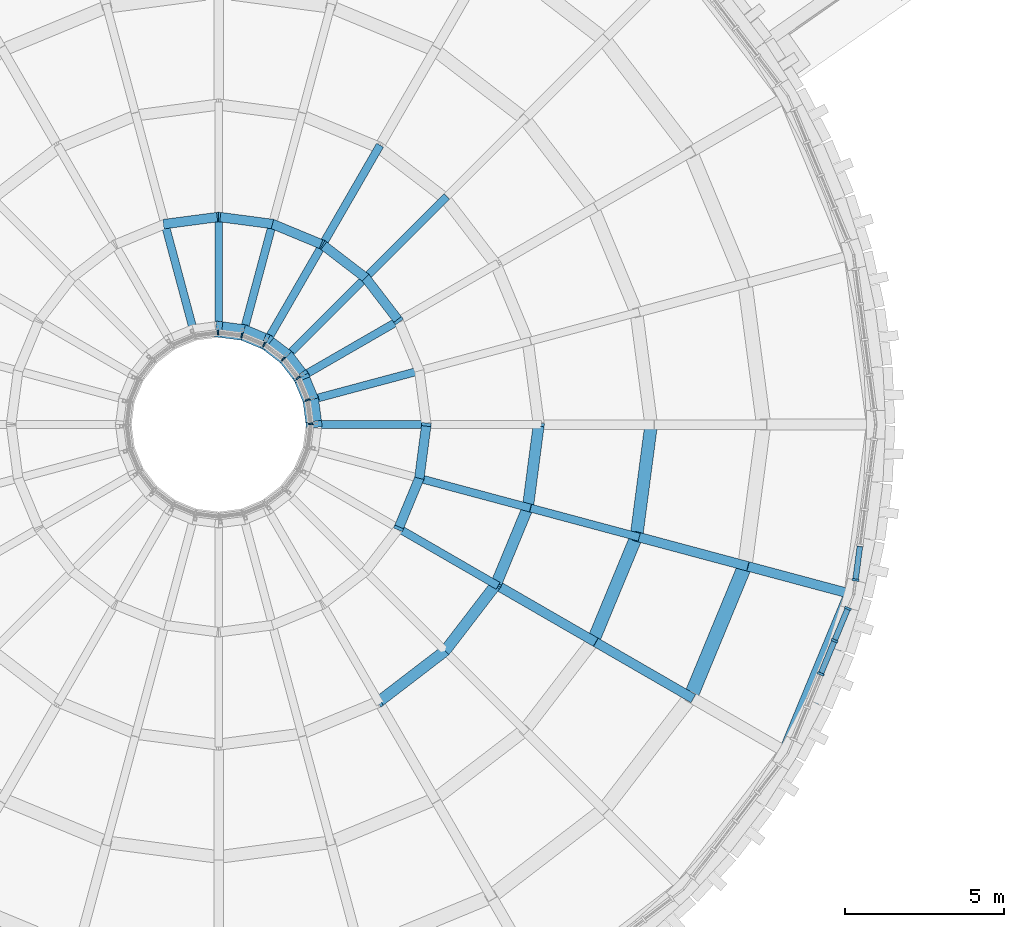
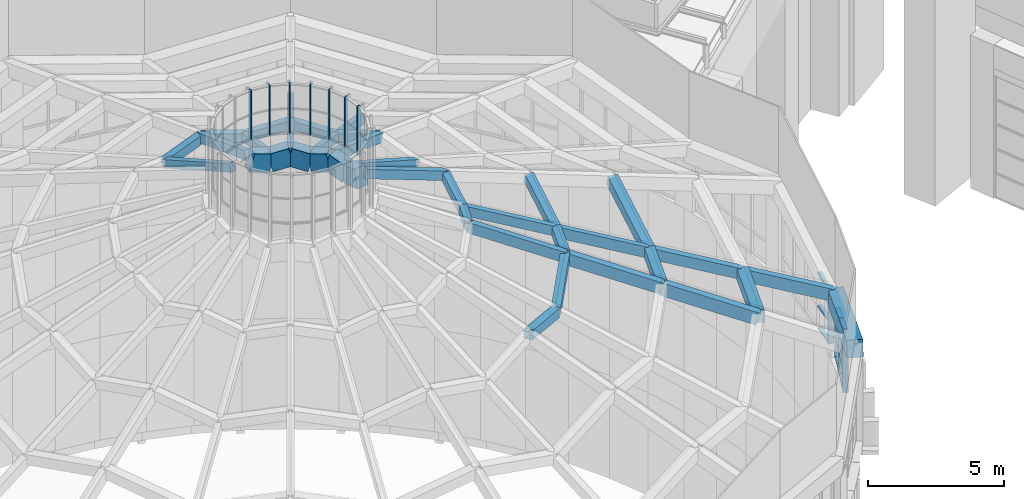
# One storey, part 13 of 82: 38 beams, 20 members, 9 elements without a shape of their own.
"""IFC4 building model written with IfcOpenShell, lengths in metres."""

from ifc_helpers import new_model, si_unit, direction, frame, origin, origin_2d, place, context, subcontext, project, spatial, rectangle, extrude, material, layer, layer_set, material_profile, profile_set, type_object, element, aggregate, save


model = new_model("IFC4")

# Units and contexts
model_context = context("Model", 3, precision=1e-05, world=origin(), true_north=direction((0.0, 1.0)))
body_context = subcontext(model_context, "Body", "Model", "MODEL_VIEW")
ifc_project = project(units=[si_unit("LENGTHUNIT", "METRE"), si_unit("AREAUNIT", "SQUARE_METRE"), si_unit("VOLUMEUNIT", "CUBIC_METRE"), si_unit("PLANEANGLEUNIT", "RADIAN"), si_unit("MASSUNIT", "GRAM", prefix="KILO")], contexts=[model_context])

# Site, building, storey
site_placement = place(None, origin())
site = spatial("IfcSite", under=ifc_project, at=site_placement, CompositionType="ELEMENT")
building_placement = place(site_placement, origin())
building = spatial("IfcBuilding", under=site, at=building_placement, Name="Volute Hill Aquarium", CompositionType="ELEMENT")
storey_placement = place(building_placement, frame((0.0, 0.0, 13.800048828125)))
storey = spatial("IfcBuildingStorey", under=building, at=storey_placement, Name="L04", CompositionType="ELEMENT", Elevation=13.800048828125)

# Curtain wall, members
ifc_material_1 = material(Name="Aluminium", Category="aluminium")
ifc_layer_1 = layer(ifc_material_1, 0.219970703125)
ifc_layer_set_1 = layer_set([ifc_layer_1], Name="Curtain wall DR clerestory module 1134")
curtain_wall_type_1 = type_object("IfcCurtainWallType", Name="Curtain wall DR clerestory module 1134", PredefinedType="NOTDEFINED", material=ifc_layer_set_1)
curtain_wall_1_placement = place(storey_placement, origin())
curtain_wall_1 = element("IfcCurtainWall", 1, at=curtain_wall_1_placement, inside=storey, type_object=curtain_wall_type_1, Name="Curtain wall CW DR clerestory c22", PredefinedType="NOTDEFINED")
ifc_material_2 = material(Name="Aluminium", Category="aluminium")
ifc_material_profile_1 = material_profile(ifc_material_2, rectangle(XDim=0.219970703125, YDim=0.070068359375, at=origin_2d()), Name="Curtain wall mullion clerestory 70x220")
ifc_profile_set_1 = profile_set([ifc_material_profile_1], Name="Aluminium")
member_type_1 = type_object("IfcMemberType", Name="Curtain wall mullion clerestory 70x220", PredefinedType="MULLION", material=ifc_profile_set_1)
member_1_placement = place(storey_placement, frame((18.960693359375, -7.853759765625, 13.699951171875), z_axis=(0.0, 0.0, 1.0), x_axis=(-0.923874284426, 0.382696102118, 0.0)))
member_1 = element("IfcMember", 2, at=member_1_placement, type_object=member_type_1, Name="Mullion DR clerestory 3", PredefinedType="MULLION", context=body_context, shape_type="SweptSolid", body=[
    extrude(rectangle(XDim=0.219970703125, YDim=0.070068359375, at=origin_2d()), origin(), (0.0, 0.0, 1.0), 2.827392578125),
])
member_2_placement = place(storey_placement, frame((19.394775390625, -6.80615234375, 13.699951171875), z_axis=(0.0, 0.0, 1.0), x_axis=(-0.923874284426, 0.382696102118, 0.0)))
member_2 = element("IfcMember", 3, at=member_2_placement, type_object=member_type_1, Name="Mullion DR clerestory 4", PredefinedType="MULLION", context=body_context, shape_type="SweptSolid", body=[
    extrude(rectangle(XDim=0.219970703125, YDim=0.070068359375, at=origin_2d()), origin(), (0.0, 0.0, 1.0), 2.533447265625),
])
member_3_placement = place(storey_placement, frame((19.815185546875, -5.790771484375, 13.699951171875), z_axis=(0.0, 0.0, 1.0), x_axis=(-0.923874284426, 0.382696102118, 0.0)))
member_3 = element("IfcMember", 4, at=member_3_placement, type_object=member_type_1, Name="Mullion DR clerestory 5", PredefinedType="MULLION", context=body_context, shape_type="SweptSolid", body=[
    extrude(rectangle(XDim=0.219970703125, YDim=0.070068359375, at=origin_2d()), origin(), (0.0, 0.0, 1.0), 2.248779296875),
])

# Curtain wall, member
curtain_wall_2_placement = place(storey_placement, origin())
curtain_wall_2 = element("IfcCurtainWall", 5, at=curtain_wall_2_placement, inside=storey, type_object=curtain_wall_type_1, Name="Curtain wall CW DR clerestory c23", PredefinedType="NOTDEFINED")
member_4_placement = place(storey_placement, frame((20.055908203125, -4.892822265625, 13.699951171875), z_axis=(0.0, 0.0, 1.0), x_axis=(-0.991445853287, 0.130518657667, 0.0)))
member_4 = element("IfcMember", 6, at=member_4_placement, type_object=member_type_1, Name="Mullion DR clerestory 1", PredefinedType="MULLION", context=body_context, shape_type="SweptSolid", body=[
    extrude(rectangle(XDim=0.219970703125, YDim=0.070068359375, at=origin_2d()), origin(), (0.0, 0.0, 1.0), 2.248779296875),
])

ifc_material_3 = material(Name="Aluminium", Category="aluminium")
ifc_layer_2 = layer(ifc_material_3, 0.139892578125)
ifc_layer_set_2 = layer_set([ifc_layer_2], Name="Curtain wall DR lantern module 757")
curtain_wall_type_2 = type_object("IfcCurtainWallType", Name="Curtain wall DR lantern module 757", PredefinedType="NOTDEFINED", material=ifc_layer_set_2)
curtain_wall_3_placement = place(storey_placement, origin())
curtain_wall_3 = element("IfcCurtainWall", 7, at=curtain_wall_3_placement, inside=storey, type_object=curtain_wall_type_2, Name="Curtain wall CW DR lantern l00", PredefinedType="NOTDEFINED")
ifc_material_4 = material(Name="Aluminium", Category="aluminium")
ifc_material_profile_2 = material_profile(ifc_material_4, rectangle(XDim=0.139892578125, YDim=0.050048828125, at=origin_2d()), Name="Curtain wall mullion lantern 50x140")
ifc_profile_set_2 = profile_set([ifc_material_profile_2], Name="Aluminium")
member_type_2 = type_object("IfcMemberType", Name="Curtain wall mullion lantern 50x140", PredefinedType="MULLION", material=ifc_profile_set_2)
member_5_placement = place(storey_placement, frame((2.896728515625, 0.02490234375, 25.16650390625), z_axis=(0.0, 0.0, 1.0), x_axis=(-0.991448000232, -0.130502348011, 0.0)))
member_5 = element("IfcMember", 8, at=member_5_placement, type_object=member_type_2, Name="Mullion DR lantern 1", PredefinedType="MULLION", context=body_context, shape_type="SweptSolid", body=[
    extrude(rectangle(XDim=0.139892578125, YDim=0.050048828125, at=origin_2d()), origin(), (0.0, 0.0, 1.0), 2.199951171875),
])
aggregate(curtain_wall_3, [member_5])

curtain_wall_4_placement = place(storey_placement, origin())
curtain_wall_4 = element("IfcCurtainWall", 9, at=curtain_wall_4_placement, inside=storey, type_object=curtain_wall_type_2, Name="Curtain wall CW DR lantern l01", PredefinedType="NOTDEFINED")
member_6_placement = place(storey_placement, frame((2.791748046875, 0.773681640625, 25.16650390625), z_axis=(0.0, 0.0, 1.0), x_axis=(-0.923879983442, -0.382682343719, 0.0)))
member_6 = element("IfcMember", 10, at=member_6_placement, type_object=member_type_2, Name="Mullion DR lantern 1", PredefinedType="MULLION", context=body_context, shape_type="SweptSolid", body=[
    extrude(rectangle(XDim=0.139892578125, YDim=0.050048828125, at=origin_2d()), origin(), (0.0, 0.0, 1.0), 2.199951171875),
])
aggregate(curtain_wall_4, [member_6])

curtain_wall_5_placement = place(storey_placement, origin())
curtain_wall_5 = element("IfcCurtainWall", 11, at=curtain_wall_5_placement, inside=storey, type_object=curtain_wall_type_2, Name="Curtain wall CW DR lantern l02", PredefinedType="NOTDEFINED")
member_7_placement = place(storey_placement, frame((2.496337890625, 1.4697265625, 25.16650390625), z_axis=(0.0, 0.0, 1.0), x_axis=(-0.79332564584, -0.608797519421, 0.0)))
member_7 = element("IfcMember", 12, at=member_7_placement, type_object=member_type_2, Name="Mullion DR lantern 1", PredefinedType="MULLION", context=body_context, shape_type="SweptSolid", body=[
    extrude(rectangle(XDim=0.139892578125, YDim=0.050048828125, at=origin_2d()), origin(), (0.0, 0.0, 1.0), 2.199951171875),
])
aggregate(curtain_wall_5, [member_7])

curtain_wall_6_placement = place(storey_placement, origin())
curtain_wall_6 = element("IfcCurtainWall", 13, at=curtain_wall_6_placement, inside=storey, type_object=curtain_wall_type_2, Name="Curtain wall CW DR lantern l03", PredefinedType="NOTDEFINED")
member_8_placement = place(storey_placement, frame((2.03076171875, 2.06591796875, 25.16650390625), z_axis=(0.0, 0.0, 1.0), x_axis=(-0.608797519421, -0.79332564584, 0.0)))
member_8 = element("IfcMember", 14, at=member_8_placement, type_object=member_type_2, Name="Mullion DR lantern 1", PredefinedType="MULLION", context=body_context, shape_type="SweptSolid", body=[
    extrude(rectangle(XDim=0.139892578125, YDim=0.050048828125, at=origin_2d()), origin(), (0.0, 0.0, 1.0), 2.199951171875),
])
aggregate(curtain_wall_6, [member_8])

curtain_wall_7_placement = place(storey_placement, origin())
curtain_wall_7 = element("IfcCurtainWall", 15, at=curtain_wall_7_placement, inside=storey, type_object=curtain_wall_type_2, Name="Curtain wall CW DR lantern l04", PredefinedType="NOTDEFINED")
member_9_placement = place(storey_placement, frame((1.427001953125, 2.52099609375, 25.16650390625), z_axis=(0.0, 0.0, 1.0), x_axis=(-0.382682343719, -0.923879983442, 0.0)))
member_9 = element("IfcMember", 16, at=member_9_placement, type_object=member_type_2, Name="Mullion DR lantern 1", PredefinedType="MULLION", context=body_context, shape_type="SweptSolid", body=[
    extrude(rectangle(XDim=0.139892578125, YDim=0.050048828125, at=origin_2d()), origin(), (0.0, 0.0, 1.0), 2.199951171875),
])
aggregate(curtain_wall_7, [member_9])

curtain_wall_8_placement = place(storey_placement, origin())
curtain_wall_8 = element("IfcCurtainWall", 17, at=curtain_wall_8_placement, inside=storey, type_object=curtain_wall_type_2, Name="Curtain wall CW DR lantern l05", PredefinedType="NOTDEFINED")
member_10_placement = place(storey_placement, frame((0.725830078125, 2.804443359375, 25.16650390625), z_axis=(0.0, 0.0, 1.0), x_axis=(-0.130502348011, -0.991448000232, 0.0)))
member_10 = element("IfcMember", 18, at=member_10_placement, type_object=member_type_2, Name="Mullion DR lantern 1", PredefinedType="MULLION", context=body_context, shape_type="SweptSolid", body=[
    extrude(rectangle(XDim=0.139892578125, YDim=0.050048828125, at=origin_2d()), origin(), (0.0, 0.0, 1.0), 2.199951171875),
])
aggregate(curtain_wall_8, [member_10])

curtain_wall_9_placement = place(storey_placement, origin())
curtain_wall_9 = element("IfcCurtainWall", 19, at=curtain_wall_9_placement, inside=storey, type_object=curtain_wall_type_2, Name="Curtain wall CW DR lantern l06", PredefinedType="NOTDEFINED")
member_11_placement = place(storey_placement, frame((-0.02490234375, 2.896728515625, 25.16650390625), z_axis=(0.0, 0.0, 1.0), x_axis=(0.130502348011, -0.991448000232, 0.0)))
member_11 = element("IfcMember", 20, at=member_11_placement, type_object=member_type_2, Name="Mullion DR lantern 1", PredefinedType="MULLION", context=body_context, shape_type="SweptSolid", body=[
    extrude(rectangle(XDim=0.139892578125, YDim=0.050048828125, at=origin_2d()), origin(), (0.0, 0.0, 1.0), 2.199951171875),
])
aggregate(curtain_wall_9, [member_11])

# Member
ifc_material_5 = material(Name="Aluminium", Category="aluminium")
ifc_material_profile_3 = material_profile(ifc_material_5, rectangle(XDim=0.179931640625, YDim=0.070068359375, at=origin_2d()), Name="Curtain wall transom clerestory 70x180")
ifc_profile_set_3 = profile_set([ifc_material_profile_3], Name="Aluminium")
member_type_3 = type_object("IfcMemberType", Name="Curtain wall transom clerestory 70x180", PredefinedType="USERDEFINED", material=ifc_profile_set_3)
member_12_placement = place(storey_placement, frame((18.97412109375, -7.821533203125, 13.73486328125), z_axis=(0.382675987972, 0.923882616045, 0.0), x_axis=(-0.923882616045, 0.382675987972, 0.0)))
member_12 = element("IfcMember", 21, at=member_12_placement, type_object=member_type_3, Name="Transom DR clerestory 3.1", ObjectType="TRANSOM", PredefinedType="USERDEFINED", context=body_context, shape_type="SweptSolid", body=[
    extrude(rectangle(XDim=0.179931640625, YDim=0.070068359375, at=origin_2d()), origin(), (0.0, 0.0, 1.0), 1.064208984375),
])

member_13_placement = place(storey_placement, frame((18.97412109375, -7.821533203125, 14.699951171875), z_axis=(0.382675987972, 0.923882616045, 0.0), x_axis=(-0.923882616045, 0.382675987972, 0.0)))
member_13 = element("IfcMember", 22, at=member_13_placement, type_object=member_type_3, Name="Transom DR clerestory 3.2", ObjectType="TRANSOM", PredefinedType="USERDEFINED", context=body_context, shape_type="SweptSolid", body=[
    extrude(rectangle(XDim=0.179931640625, YDim=0.070068359375, at=origin_2d()), origin(), (0.0, 0.0, 1.0), 1.064208984375),
])

member_14_placement = place(storey_placement, frame((18.97412109375, -7.821533203125, 16.483154296875), z_axis=(0.37045091668, 0.894368010473, -0.250742856674), x_axis=(-0.923882616045, 0.382675987972, 0.0)))
member_14 = element("IfcMember", 23, at=member_14_placement, type_object=member_type_3, Name="Head member DR clerestory 3", ObjectType="TRANSOM", PredefinedType="USERDEFINED", context=body_context, shape_type="SweptSolid", body=[
    extrude(rectangle(XDim=0.179931640625, YDim=0.070068359375, at=origin_2d()), origin(), (0.0, 0.0, 1.0), 1.099365234375),
])

member_15_placement = place(storey_placement, frame((19.407958984375, -6.773681640625, 13.73486328125), z_axis=(0.382777942923, 0.923840379293, 0.0), x_axis=(-0.923840379293, 0.382777942923, 0.0)))
member_15 = element("IfcMember", 24, at=member_15_placement, type_object=member_type_3, Name="Transom DR clerestory 4.1", ObjectType="TRANSOM", PredefinedType="USERDEFINED", context=body_context, shape_type="SweptSolid", body=[
    extrude(rectangle(XDim=0.179931640625, YDim=0.070068359375, at=origin_2d()), origin(), (0.0, 0.0, 1.0), 1.02880859375),
])

member_16_placement = place(storey_placement, frame((19.407958984375, -6.773681640625, 14.699951171875), z_axis=(0.382777942923, 0.923840379293, 0.0), x_axis=(-0.923840379293, 0.382777942923, 0.0)))
member_16 = element("IfcMember", 25, at=member_16_placement, type_object=member_type_3, Name="Transom DR clerestory 4.2", ObjectType="TRANSOM", PredefinedType="USERDEFINED", context=body_context, shape_type="SweptSolid", body=[
    extrude(rectangle(XDim=0.179931640625, YDim=0.070068359375, at=origin_2d()), origin(), (0.0, 0.0, 1.0), 1.02880859375),
])

member_17_placement = place(storey_placement, frame((19.407958984375, -6.773681640625, 16.189453125), z_axis=(0.370538555568, 0.894300432006, -0.250854372399), x_axis=(-0.923840379293, 0.382777942923, 0.0)))
member_17 = element("IfcMember", 26, at=member_17_placement, type_object=member_type_3, Name="Head member DR clerestory 4", ObjectType="TRANSOM", PredefinedType="USERDEFINED", context=body_context, shape_type="SweptSolid", body=[
    extrude(rectangle(XDim=0.179931640625, YDim=0.070068359375, at=origin_2d()), origin(), (0.0, 0.0, 1.0), 1.062744140625),
])

aggregate(curtain_wall_1, [member_1, member_2, member_3, member_12, member_13, member_14, member_15, member_16, member_17])

member_18_placement = place(storey_placement, frame((20.060546875, -4.85791015625, 13.73486328125), z_axis=(0.130515897359, 0.991446216664, 0.0), x_axis=(-0.991446216664, 0.130515897359, 0.0)))
member_18 = element("IfcMember", 27, at=member_18_placement, type_object=member_type_3, Name="Transom DR clerestory 1.1", ObjectType="TRANSOM", PredefinedType="USERDEFINED", context=body_context, shape_type="SweptSolid", body=[
    extrude(rectangle(XDim=0.179931640625, YDim=0.070068359375, at=origin_2d()), origin(), (0.0, 0.0, 1.0), 1.02880859375),
])

member_19_placement = place(storey_placement, frame((20.060546875, -4.85791015625, 14.699951171875), z_axis=(0.130515897359, 0.991446216664, 0.0), x_axis=(-0.991446216664, 0.130515897359, 0.0)))
member_19 = element("IfcMember", 28, at=member_19_placement, type_object=member_type_3, Name="Transom DR clerestory 1.2", ObjectType="TRANSOM", PredefinedType="USERDEFINED", context=body_context, shape_type="SweptSolid", body=[
    extrude(rectangle(XDim=0.179931640625, YDim=0.070068359375, at=origin_2d()), origin(), (0.0, 0.0, 1.0), 1.02880859375),
])

member_20_placement = place(storey_placement, frame((20.060546875, -4.85791015625, 15.9228515625), z_axis=(0.126342846429, 0.959746204329, 0.250847978728), x_axis=(-0.991446216664, 0.130515897359, 0.0)))
member_20 = element("IfcMember", 29, at=member_20_placement, type_object=member_type_3, Name="Head member DR clerestory 1", ObjectType="TRANSOM", PredefinedType="USERDEFINED", context=body_context, shape_type="SweptSolid", body=[
    extrude(rectangle(XDim=0.179931640625, YDim=0.070068359375, at=origin_2d()), origin(), (0.0, 0.0, 1.0), 1.062744140625),
])

aggregate(curtain_wall_2, [member_4, member_18, member_19, member_20])

# Beams
ifc_material_6 = material(Name="Concrete C40/50", Category="concrete")
ifc_material_profile_4 = material_profile(ifc_material_6, rectangle(XDim=0.5, YDim=0.800048828125, at=origin_2d()), Name="RC beam 500x800")
ifc_profile_set_4 = profile_set([ifc_material_profile_4], Name="Concrete C40/50")
beam_type_1 = type_object("IfcBeamType", Name="Dome shell crown compression ring 500x800", PredefinedType="BEAM", material=ifc_profile_set_4)
beam_1_placement = place(storey_placement, frame((3.0, 0.0, 24.1533203125), z_axis=(-0.126420151127, 0.959767304854, -0.250728271089), x_axis=(-0.991436251812, -0.130591571678, 0.0)))
element("IfcBeam", 30, at=beam_1_placement, inside=storey, type_object=beam_type_1, Name="rb/DR/L04/crown.0", PredefinedType="BEAM", context=body_context, shape_type="SweptSolid", body=[
    extrude(rectangle(XDim=0.5, YDim=0.800048828125, at=origin_2d()), origin(), (0.0, 0.0, 1.0), 0.80908203125),
])
beam_2_placement = place(storey_placement, frame((2.897705078125, 0.776611328125, 23.950439453125), z_axis=(-0.370367795762, 0.894376347876, 0.250835891017), x_axis=(-0.923914231908, -0.382599649866, 0.0)))
element("IfcBeam", 31, at=beam_2_placement, inside=storey, type_object=beam_type_1, Name="rb/DR/L04/crown.1", PredefinedType="BEAM", context=body_context, shape_type="SweptSolid", body=[
    extrude(rectangle(XDim=0.5, YDim=0.800048828125, at=origin_2d()), origin(), (0.0, 0.0, 1.0), 0.808837890625),
])
for number, where, z_axis, x_axis, name in (
    (32, (2.59814453125, 1.5, 24.1533203125), (-0.589339536371, 0.76798214033, -0.250763520084), (-0.793330333374, -0.608791411033, 0.0), "rb/DR/L04/crown.2"),
    (33, (2.121337890625, 2.121337890625, 23.950439453125), (-0.76798214033, 0.589339536371, 0.250763520084), (-0.608791411033, -0.793330333374, 0.0), "rb/DR/L04/crown.3"),
):
    element("IfcBeam", number, at=place(storey_placement, frame(where, z_axis=z_axis, x_axis=x_axis)), inside=storey, type_object=beam_type_1, Name=name, PredefinedType="BEAM", context=body_context, shape_type="SweptSolid", body=[
        extrude(rectangle(XDim=0.5, YDim=0.800048828125, at=origin_2d()), origin(), (0.0, 0.0, 1.0), 0.80908203125),
    ])
beam_3_placement = place(storey_placement, frame((1.5, 2.59814453125, 24.1533203125), z_axis=(-0.894376347876, 0.370367795762, -0.250835891017), x_axis=(-0.382599649866, -0.923914231908, 0.0)))
element("IfcBeam", 34, at=beam_3_placement, inside=storey, type_object=beam_type_1, Name="rb/DR/L04/crown.4", PredefinedType="BEAM", context=body_context, shape_type="SweptSolid", body=[
    extrude(rectangle(XDim=0.5, YDim=0.800048828125, at=origin_2d()), origin(), (0.0, 0.0, 1.0), 0.808837890625),
])
beam_4_placement = place(storey_placement, frame((0.776611328125, 2.897705078125, 23.950439453125), z_axis=(-0.959767304854, 0.126420151127, 0.250728271089), x_axis=(-0.130591571678, -0.991436251812, 0.0)))
element("IfcBeam", 35, at=beam_4_placement, inside=storey, type_object=beam_type_1, Name="rb/DR/L04/crown.5", PredefinedType="BEAM", context=body_context, shape_type="SweptSolid", body=[
    extrude(rectangle(XDim=0.5, YDim=0.800048828125, at=origin_2d()), origin(), (0.0, 0.0, 1.0), 0.80908203125),
])
ifc_material_7 = material(Name="Concrete C40/50", Category="concrete")
ifc_material_profile_5 = material_profile(ifc_material_7, rectangle(XDim=0.60009765625, YDim=0.699951171875, at=origin_2d()), Name="RC beam 600x700")
ifc_profile_set_5 = profile_set([ifc_material_profile_5], Name="Concrete C40/50")
beam_type_2 = type_object("IfcBeamType", Name="Dome shell eave ring beam 600x700", PredefinedType="BEAM", material=ifc_profile_set_5)
beam_5_placement = place(storey_placement, frame((17.9267578125, -10.35009765625, 17.51611328125), z_axis=(0.370444717355, 0.894359389043, -0.250782763791), x_axis=(-0.923883575944, 0.382673670509, 0.0)))
element("IfcBeam", 36, at=beam_5_placement, inside=storey, type_object=beam_type_2, Name="rb/DR/L04/eave.22", PredefinedType="BEAM", context=body_context, shape_type="SweptSolid", body=[
    extrude(rectangle(XDim=0.60009765625, YDim=0.699951171875, at=origin_2d()), origin(), (0.0, 0.0, 1.0), 5.58203125),
])
ifc_material_8 = material(Name="Concrete C40/50", Category="concrete")
ifc_material_profile_6 = material_profile(ifc_material_8, rectangle(XDim=0.25, YDim=0.39990234375, at=origin_2d()), Name="RC rib 250x400")
ifc_profile_set_6 = profile_set([ifc_material_profile_6], Name="Concrete C40/50")
beam_type_3 = type_object("IfcBeamType", Name="Dome shell ridge rib 250x400", PredefinedType="BEAM", material=ifc_profile_set_6)
for number, where, z_axis, x_axis, name in (
    (37, (6.5400390625, 0.0, 23.033203125), (-0.936988418272, 0.0, 0.349360421376), (0.0, -1.0, 0.0), "rb/DR/L04/ridge4.0"),
    (38, (5.663818359375, 3.27001953125, 23.033203125), (-0.81145928469, -0.468478276806, 0.349373630161), (0.499985624295, -0.866033703443, 0.0), "rb/DR/L04/ridge4.2"),
    (39, (3.27001953125, 5.663818359375, 23.033203125), (-0.468478276806, -0.81145928469, 0.349373630161), (0.866033703443, -0.499985624295, 0.0), "rb/DR/L04/ridge4.4"),
    (40, (0.0, 6.5400390625, 23.033203125), (0.0, -0.936988418272, 0.349360421376), (1.0, 0.0, 0.0), "rb/DR/L04/ridge4.6"),
):
    element("IfcBeam", number, at=place(storey_placement, frame(where, z_axis=z_axis, x_axis=x_axis)), inside=storey, type_object=beam_type_3, Name=name, PredefinedType="BEAM", context=body_context, shape_type="SweptSolid", body=[
        extrude(rectangle(XDim=0.25, YDim=0.39990234375, at=origin_2d()), origin(), (0.0, 0.0, 1.0), 3.628173828125),
    ])
ifc_material_9 = material(Name="Concrete C40/50", Category="concrete")
ifc_material_profile_7 = material_profile(ifc_material_9, rectangle(XDim=0.25, YDim=0.449951171875, at=origin_2d()), Name="RC rib 250x450")
ifc_profile_set_7 = profile_set([ifc_material_profile_7], Name="Concrete C40/50")
beam_type_4 = type_object("IfcBeamType", Name="Dome shell ridge rib 250x450", PredefinedType="BEAM", material=ifc_profile_set_7)
for number, where, z_axis, x_axis, name in (
    (41, (5.0400390625, 8.7294921875, 21.663818359375), (-0.467539824873, -0.80977897668, 0.354491919631), (0.866019052629, -0.500011000363, 0.0), "rb/DR/L04/ridge3.4"),
    (42, (8.7294921875, -5.0400390625, 21.663818359375), (-0.80977897668, 0.467539824873, 0.354491919631), (-0.500011000363, -0.866019052629, 0.0), "rb/DR/L04/ridge3.22"),
):
    element("IfcBeam", number, at=place(storey_placement, frame(where, z_axis=z_axis, x_axis=x_axis)), inside=storey, type_object=beam_type_4, Name=name, PredefinedType="BEAM", context=body_context, shape_type="SweptSolid", body=[
        extrude(rectangle(XDim=0.25, YDim=0.449951171875, at=origin_2d()), origin(), (0.0, 0.0, 1.0), 3.785888671875),
    ])
ifc_material_10 = material(Name="Concrete C40/50", Category="concrete")
ifc_material_profile_8 = material_profile(ifc_material_10, rectangle(XDim=0.300048828125, YDim=0.5, at=origin_2d()), Name="RC rib 300x500")
ifc_profile_set_8 = profile_set([ifc_material_profile_8], Name="Concrete C40/50")
beam_type_5 = type_object("IfcBeamType", Name="Dome shell ridge rib 300x500", PredefinedType="BEAM", material=ifc_profile_set_8)
beam_6_placement = place(storey_placement, frame((11.79541015625, -6.81005859375, 20.294677734375), z_axis=(-0.809782663911, 0.467504723153, 0.354529788675), x_axis=(-0.499981137809, -0.866036293601, 0.0)))
element("IfcBeam", 43, at=beam_6_placement, inside=storey, type_object=beam_type_5, Name="rb/DR/L04/ridge2.22", PredefinedType="BEAM", context=body_context, shape_type="SweptSolid", body=[
    extrude(rectangle(XDim=0.300048828125, YDim=0.5, at=origin_2d()), origin(), (0.0, 0.0, 1.0), 3.7861328125),
])
ifc_material_11 = material(Name="Concrete C40/50", Category="concrete")
ifc_material_profile_9 = material_profile(ifc_material_11, rectangle(XDim=0.300048828125, YDim=0.550048828125, at=origin_2d()), Name="RC rib 300x550")
ifc_profile_set_9 = profile_set([ifc_material_profile_9], Name="Concrete C40/50")
beam_type_6 = type_object("IfcBeamType", Name="Dome shell ridge rib 300x550", PredefinedType="BEAM", material=ifc_profile_set_9)
beam_7_placement = place(storey_placement, frame((14.861083984375, -8.580078125, 18.92578125), z_axis=(-0.809760463627, 0.467529136043, 0.354548302064), x_axis=(-0.500011000363, -0.866019052629, 0.0)))
element("IfcBeam", 44, at=beam_7_placement, inside=storey, type_object=beam_type_6, Name="rb/DR/L04/ridge1.22", PredefinedType="BEAM", context=body_context, shape_type="SweptSolid", body=[
    extrude(rectangle(XDim=0.300048828125, YDim=0.550048828125, at=origin_2d()), origin(), (0.0, 0.0, 1.0), 3.785888671875),
])
ifc_material_12 = material(Name="Concrete C40/50", Category="concrete")
ifc_material_profile_10 = material_profile(ifc_material_12, rectangle(XDim=0.300048828125, YDim=0.39990234375, at=origin_2d()), Name="RC beam 300x400")
ifc_profile_set_10 = profile_set([ifc_material_profile_10], Name="Concrete C40/50")
beam_type_7 = type_object("IfcBeamType", Name="Dome shell ring beam 300x400", PredefinedType="BEAM", material=ifc_profile_set_10)
for number, where, z_axis, x_axis, name in (
    (45, (5.663818359375, 3.27001953125, 23.0400390625), (-0.589288418736, 0.767999094937, -0.250831715938), (-0.793362327397, -0.608749716606, 0.0), "rb/DR/L04/ring4.2"),
    (46, (4.62451171875, 4.62451171875, 22.59765625), (-0.767999094937, 0.589288418736, 0.250831715938), (-0.608749716606, -0.793362327397, 0.0), "rb/DR/L04/ring4.3"),
    (47, (3.27001953125, 5.663818359375, 23.0400390625), (-0.894357009115, 0.370422435597, -0.250824160427), (-0.382654892735, -0.923891353497, 0.0), "rb/DR/L04/ring4.4"),
    (48, (1.692626953125, 6.317138671875, 22.59765625), (-0.959743116288, 0.126387633805, 0.250837231604), (-0.130561788435, -0.991440174393, 0.0), "rb/DR/L04/ring4.5"),
    (49, (0.0, 6.5400390625, 23.0400390625), (-0.959743116288, -0.126387633805, -0.250837231604), (0.130561788435, -0.991440174393, 0.0), "rb/DR/L04/ring4.6"),
    (50, (5.663818359375, -3.27001953125, 23.0400390625), (0.370422435597, 0.894357009115, -0.250824160427), (-0.923891353497, 0.382654892735, 0.0), "rb/DR/L04/ring4.22"),
    (51, (6.317138671875, -1.692626953125, 22.59765625), (0.126387633805, 0.959743116288, 0.250837231604), (-0.991440174393, 0.130561788435, 0.0), "rb/DR/L04/ring4.23"),
):
    element("IfcBeam", number, at=place(storey_placement, frame(where, z_axis=z_axis, x_axis=x_axis)), inside=storey, type_object=beam_type_7, Name=name, PredefinedType="BEAM", context=body_context, shape_type="SweptSolid", body=[
        extrude(rectangle(XDim=0.300048828125, YDim=0.39990234375, at=origin_2d()), origin(), (0.0, 0.0, 1.0), 1.763671875),
    ])
ifc_material_13 = material(Name="Concrete C40/50", Category="concrete")
ifc_material_profile_11 = material_profile(ifc_material_13, rectangle(XDim=0.35009765625, YDim=0.39990234375, at=origin_2d()), Name="RC beam 350x400")
ifc_profile_set_11 = profile_set([ifc_material_profile_11], Name="Concrete C40/50")
beam_type_8 = type_object("IfcBeamType", Name="Dome shell ring beam 350x400", PredefinedType="BEAM", material=ifc_profile_set_11)
for number, where, z_axis, x_axis, name in (
    (52, (5.0400390625, -8.7294921875, 21.69775390625), (0.768021440835, 0.589286477993, -0.250767847364), (-0.608737306285, 0.793371849725, 0.0), "rb/DR/L04/ring3.20"),
    (53, (7.127685546875, -7.127685546875, 21.01611328125), (0.589286477993, 0.768021440835, 0.250767847364), (-0.793371849725, 0.608737306285, 0.0), "rb/DR/L04/ring3.21"),
    (54, (8.7294921875, -5.0400390625, 21.69775390625), (0.370476790218, 0.894353424726, -0.250756654131), (-0.923870959733, 0.382704128228, 0.0), "rb/DR/L04/ring3.22"),
    (55, (9.736572265625, -2.60888671875, 21.01611328125), (0.126369906297, 0.959764618825, 0.250763879446), (-0.991442923275, 0.130540912694, 0.0), "rb/DR/L04/ring3.23"),
):
    element("IfcBeam", number, at=place(storey_placement, frame(where, z_axis=z_axis, x_axis=x_axis)), inside=storey, type_object=beam_type_8, Name=name, PredefinedType="BEAM", context=body_context, shape_type="SweptSolid", body=[
        extrude(rectangle(XDim=0.35009765625, YDim=0.39990234375, at=origin_2d()), origin(), (0.0, 0.0, 1.0), 2.71826171875),
    ])
ifc_material_14 = material(Name="Concrete C40/50", Category="concrete")
ifc_material_profile_12 = material_profile(ifc_material_14, rectangle(XDim=0.39990234375, YDim=0.449951171875, at=origin_2d()), Name="RC beam 400x450")
ifc_profile_set_12 = profile_set([ifc_material_profile_12], Name="Concrete C40/50")
beam_type_9 = type_object("IfcBeamType", Name="Dome shell ring beam 400x450", PredefinedType="BEAM", material=ifc_profile_set_12)
for number, where, z_axis, x_axis, name in (
    (56, (11.79541015625, -6.81005859375, 20.32958984375), (0.370439367644, 0.89435881781, -0.250792703054), (-0.923885443331, 0.382669162072, 0.0), "rb/DR/L04/ring2.22"),
    (57, (13.156005859375, -3.525146484375, 19.408447265625), (0.126359287545, 0.959758944171, 0.250790947874), (-0.991444243022, 0.13053088898, 0.0), "rb/DR/L04/ring2.23"),
):
    element("IfcBeam", number, at=place(storey_placement, frame(where, z_axis=z_axis, x_axis=x_axis)), inside=storey, type_object=beam_type_9, Name=name, PredefinedType="BEAM", context=body_context, shape_type="SweptSolid", body=[
        extrude(rectangle(XDim=0.39990234375, YDim=0.449951171875, at=origin_2d()), origin(), (0.0, 0.0, 1.0), 3.6728515625),
    ])
ifc_material_15 = material(Name="Concrete C40/50", Category="concrete")
ifc_material_profile_13 = material_profile(ifc_material_15, rectangle(XDim=0.449951171875, YDim=0.5, at=origin_2d()), Name="RC beam 450x500")
ifc_profile_set_13 = profile_set([ifc_material_profile_13], Name="Concrete C40/50")
beam_type_10 = type_object("IfcBeamType", Name="Dome shell ring beam 450x500", PredefinedType="BEAM", material=ifc_profile_set_13)
beam_8_placement = place(storey_placement, frame((14.861083984375, -8.580078125, 18.961669921875), z_axis=(0.37041738407, 0.894361984725, -0.250813878916), x_axis=(-0.923893950929, 0.382648621371, 0.0)))
element("IfcBeam", 58, at=beam_8_placement, inside=storey, type_object=beam_type_10, Name="rb/DR/L04/ring1.22", PredefinedType="BEAM", context=body_context, shape_type="SweptSolid", body=[
    extrude(rectangle(XDim=0.449951171875, YDim=0.5, at=origin_2d()), origin(), (0.0, 0.0, 1.0), 4.62744140625),
])
ifc_material_16 = material(Name="Concrete C40/50", Category="concrete")
ifc_material_profile_14 = material_profile(ifc_material_16, rectangle(XDim=0.25, YDim=0.35009765625, at=origin_2d()), Name="RC rib 250x350")
ifc_profile_set_14 = profile_set([ifc_material_profile_14], Name="Concrete C40/50")
beam_type_11 = type_object("IfcBeamType", Name="Dome shell valley rib 250x350", PredefinedType="BEAM", material=ifc_profile_set_14)
for number, where, z_axis, x_axis, name in (
    (59, (6.317138671875, 1.692626953125, 22.613037109375), (-0.883981663698, -0.236805597758, 0.403112300874), (0.258761365236, -0.965941279717, 0.0), "rb/DR/L04/valley4.1"),
    (60, (4.62451171875, 4.62451171875, 22.613037109375), (-0.647109757651, -0.647109757651, 0.403110311335), (0.707106781187, -0.707106781187, 0.0), "rb/DR/L04/valley4.3"),
    (61, (1.692626953125, 6.317138671875, 22.613037109375), (-0.236805597758, -0.883981663698, 0.403112300874), (0.965941279717, -0.258761365236, 0.0), "rb/DR/L04/valley4.5"),
    (62, (-1.692626953125, 6.317138671875, 22.613037109375), (0.236805597758, -0.883981663698, 0.403112300874), (0.965941279717, 0.258761365236, 0.0), "rb/DR/L04/valley4.7"),
):
    element("IfcBeam", number, at=place(storey_placement, frame(where, z_axis=z_axis, x_axis=x_axis)), inside=storey, type_object=beam_type_11, Name=name, PredefinedType="BEAM", context=body_context, shape_type="SweptSolid", body=[
        extrude(rectangle(XDim=0.25, YDim=0.35009765625, at=origin_2d()), origin(), (0.0, 0.0, 1.0), 3.8681640625),
    ])
ifc_material_17 = material(Name="Concrete C40/50", Category="concrete")
ifc_material_profile_15 = material_profile(ifc_material_17, rectangle(XDim=0.25, YDim=0.39990234375, at=origin_2d()), Name="RC rib 250x400")
ifc_profile_set_15 = profile_set([ifc_material_profile_15], Name="Concrete C40/50")
beam_type_12 = type_object("IfcBeamType", Name="Dome shell valley rib 250x400", PredefinedType="BEAM", material=ifc_profile_set_15)
for number, where, z_axis, x_axis, name in (
    (63, (7.127685546875, 7.127685546875, 21.003662109375), (-0.645606140124, -0.645606140124, 0.407903694111), (0.707106781187, -0.707106781187, 0.0), "rb/DR/L04/valley3.3"),
    (64, (9.736572265625, -2.60888671875, 21.003662109375), (-0.881914511416, 0.236314805179, 0.407899629084), (-0.258825711959, -0.965924039886, 0.0), "rb/DR/L04/valley3.23"),
):
    element("IfcBeam", number, at=place(storey_placement, frame(where, z_axis=z_axis, x_axis=x_axis)), inside=storey, type_object=beam_type_12, Name=name, PredefinedType="BEAM", context=body_context, shape_type="SweptSolid", body=[
        extrude(rectangle(XDim=0.25, YDim=0.39990234375, at=origin_2d()), origin(), (0.0, 0.0, 1.0), 3.877197265625),
    ])
ifc_material_18 = material(Name="Concrete C40/50", Category="concrete")
ifc_material_profile_16 = material_profile(ifc_material_18, rectangle(XDim=0.25, YDim=0.449951171875, at=origin_2d()), Name="RC rib 250x450")
ifc_profile_set_16 = profile_set([ifc_material_profile_16], Name="Concrete C40/50")
beam_type_13 = type_object("IfcBeamType", Name="Dome shell valley rib 250x450", PredefinedType="BEAM", material=ifc_profile_set_16)
beam_9_placement = place(storey_placement, frame((13.156005859375, -3.525146484375, 19.39453125), z_axis=(-0.881891859291, 0.236308735393, 0.407952117403), x_axis=(-0.258825711959, -0.965924039886, 0.0)))
element("IfcBeam", 65, at=beam_9_placement, inside=storey, type_object=beam_type_13, Name="rb/DR/L04/valley2.23", PredefinedType="BEAM", context=body_context, shape_type="SweptSolid", body=[
    extrude(rectangle(XDim=0.25, YDim=0.449951171875, at=origin_2d()), origin(), (0.0, 0.0, 1.0), 3.87744140625),
])
ifc_material_19 = material(Name="Concrete C40/50", Category="concrete")
ifc_material_profile_17 = material_profile(ifc_material_19, rectangle(XDim=0.300048828125, YDim=0.449951171875, at=origin_2d()), Name="RC rib 300x450")
ifc_profile_set_17 = profile_set([ifc_material_profile_17], Name="Concrete C40/50")
beam_type_14 = type_object("IfcBeamType", Name="Dome shell valley rib 300x450", PredefinedType="BEAM", material=ifc_profile_set_17)
beam_10_placement = place(storey_placement, frame((16.5751953125, -4.44140625, 17.812744140625), z_axis=(-0.881877863035, 0.236321857906, 0.407974771482), x_axis=(-0.258842954733, -0.965919419406, 0.0)))
element("IfcBeam", 66, at=beam_10_placement, inside=storey, type_object=beam_type_14, Name="rb/DR/L04/valley1.23", PredefinedType="BEAM", context=body_context, shape_type="SweptSolid", body=[
    extrude(rectangle(XDim=0.300048828125, YDim=0.449951171875, at=origin_2d()), origin(), (0.0, 0.0, 1.0), 3.877197265625),
])
ifc_material_20 = material(Name="Concrete C40/50", Category="concrete")
ifc_material_profile_18 = material_profile(ifc_material_20, rectangle(XDim=0.300048828125, YDim=0.5, at=origin_2d()), Name="RC rib 300x500")
ifc_profile_set_18 = profile_set([ifc_material_profile_18], Name="Concrete C40/50")
beam_type_15 = type_object("IfcBeamType", Name="Dome shell valley rib 300x500", PredefinedType="BEAM", material=ifc_profile_set_18)
beam_11_placement = place(storey_placement, frame((19.99462890625, -5.357666015625, 16.203857421875), z_axis=(-0.881914511416, 0.236314805179, 0.407899629084), x_axis=(-0.258825711959, -0.965924039886, 0.0)))
element("IfcBeam", 67, at=beam_11_placement, inside=storey, type_object=beam_type_15, Name="rb/DR/L04/valley0.23", PredefinedType="BEAM", context=body_context, shape_type="SweptSolid", body=[
    extrude(rectangle(XDim=0.300048828125, YDim=0.5, at=origin_2d()), origin(), (0.0, 0.0, 1.0), 3.877197265625),
])

save(model, "model.ifc")
